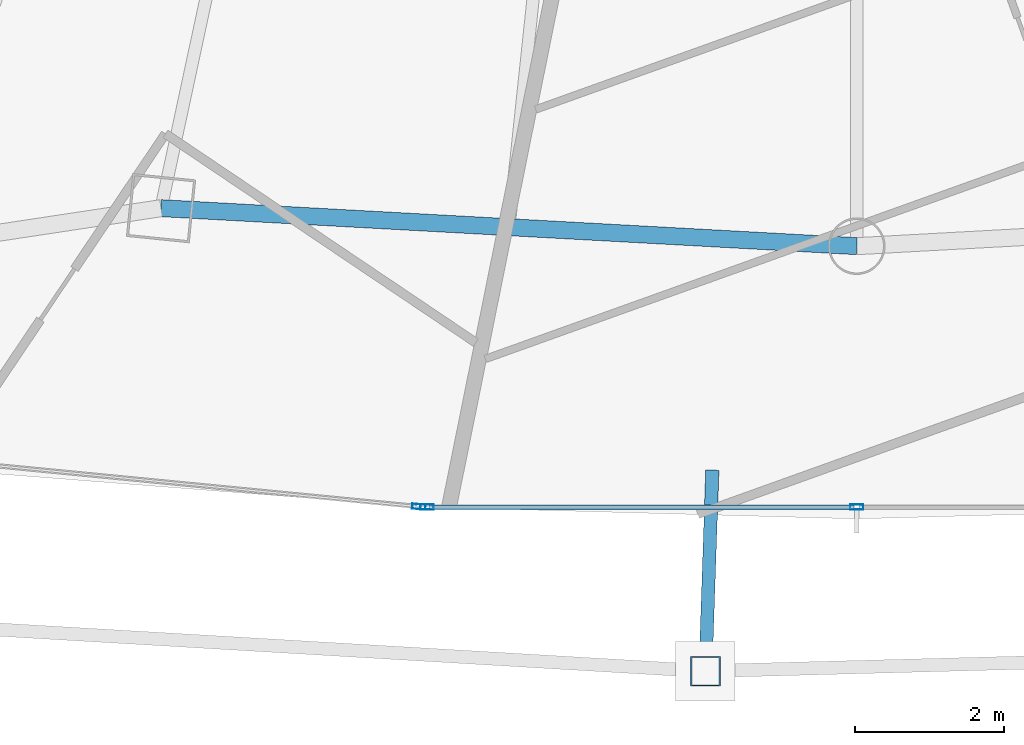
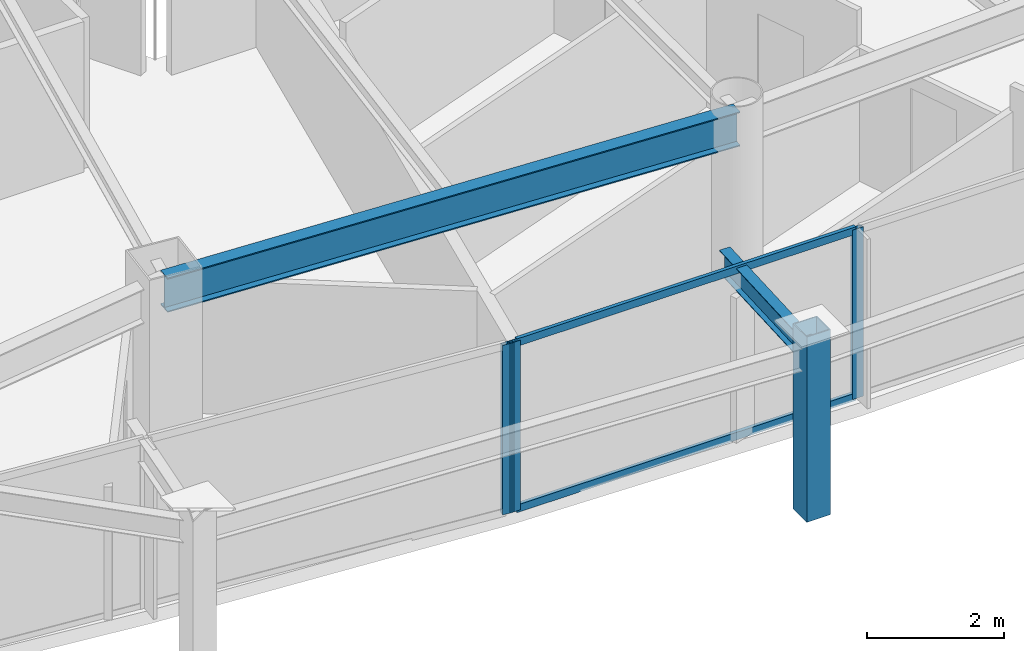
# One storey, part 7 of 30: 6 members, 2 beams, 2 elements without a shape of their own.
"""IFC4 building model written with IfcOpenShell, lengths in metres."""

from ifc_helpers import new_model, si_unit, direction, frame, origin, origin_2d, place, context, subcontext, project, spatial, hollow_rectangle, i_section, extrude, material, layer, layer_set, material_profile, profile_set, type_object, element, aggregate, save


model = new_model("IFC4")

# Units and contexts
model_context = context("Model", 3, precision=1e-05, world=origin(), true_north=direction((0.0, 1.0)))
body_context = subcontext(model_context, "Body", "Model", "MODEL_VIEW")
ifc_project = project(units=[si_unit("LENGTHUNIT", "METRE"), si_unit("AREAUNIT", "SQUARE_METRE"), si_unit("VOLUMEUNIT", "CUBIC_METRE"), si_unit("PLANEANGLEUNIT", "RADIAN"), si_unit("MASSUNIT", "GRAM", prefix="KILO")], contexts=[model_context])

# Site, building, storey
site_placement = place(None, origin())
site = spatial("IfcSite", under=ifc_project, at=site_placement, CompositionType="ELEMENT")
building_placement = place(site_placement, origin())
building = spatial("IfcBuilding", under=site, at=building_placement, Name="Orvanel Arch Residences", CompositionType="ELEMENT")
storey_placement = place(building_placement, frame((0.0, 0.0, 143.0)))
storey = spatial("IfcBuildingStorey", under=building, at=storey_placement, Name="L40", CompositionType="ELEMENT", Elevation=143.0)

# Curtain wall, member
ifc_material_1 = material(Name="Bronze-anodised aluminium AA6063-T6", Category="aluminium")
ifc_layer = layer(ifc_material_1, 0.179931640625)
ifc_layer_set = layer_set([ifc_layer], Name="Bronze-anodised aluminium AA6063-T6")
curtain_wall_type = type_object("IfcCurtainWallType", Name="CW3-MID-SYS", PredefinedType="NOTDEFINED", material=ifc_layer_set)
curtain_wall_1_placement = place(storey_placement, origin())
curtain_wall_1 = element("IfcCurtainWall", 1, at=curtain_wall_1_placement, inside=storey, type_object=curtain_wall_type, Name="L40 CW3-MID-SYS Unitised Curtain Wall", PredefinedType="NOTDEFINED")
ifc_material_profile_1 = material_profile(ifc_material_1, hollow_rectangle(XDim=0.070068359375, YDim=0.179931640625, WallThickness=0.00439453125, at=origin_2d()), Name="ALU180x70x4.5")
ifc_profile_set_1 = profile_set([ifc_material_profile_1], Name="Bronze-anodised aluminium AA6063-T6")
member_type_1 = type_object("IfcMemberType", Name="MUL-180x70", PredefinedType="MULLION", material=ifc_profile_set_1)
member_1_placement = place(storey_placement, frame((27.1142578125, 3.34228515625, 0.0), z_axis=(0.0, 0.0, 1.0), x_axis=(0.096603363992, 0.99532295767, 0.0)))
member_1 = element("IfcMember", 2, at=member_1_placement, type_object=member_type_1, Name="CW-S3 mullion 3", PredefinedType="MULLION", context=body_context, shape_type="SweptSolid", body=[
    extrude(hollow_rectangle(XDim=0.070068359375, YDim=0.179931640625, WallThickness=0.00439453125, at=origin_2d()), origin(), (0.0, 0.0, 1.0), 3.02001953125),
])
aggregate(curtain_wall_1, [member_1])

# Curtain wall, members
curtain_wall_2_placement = place(storey_placement, origin())
curtain_wall_2 = element("IfcCurtainWall", 3, at=curtain_wall_2_placement, inside=storey, type_object=curtain_wall_type, Name="L40 CW3-MID-SYS Unitised Curtain Wall", PredefinedType="NOTDEFINED")
member_2_placement = place(storey_placement, frame((27.22412109375, 3.3369140625, 0.0), z_axis=(0.0, 0.0, 1.0), x_axis=(0.0, 1.0, 0.0)))
member_2 = element("IfcMember", 4, at=member_2_placement, type_object=member_type_1, Name="CW-S3 mullion 1", PredefinedType="MULLION", context=body_context, shape_type="SweptSolid", body=[
    extrude(hollow_rectangle(XDim=0.070068359375, YDim=0.179931640625, WallThickness=0.00439453125, at=origin_2d()), origin(), (0.0, 0.0, 1.0), 3.02001953125),
])
member_3_placement = place(storey_placement, frame((33.0, 3.3369140625, 0.0), z_axis=(0.0, 0.0, 1.0), x_axis=(0.0, 1.0, 0.0)))
member_3 = element("IfcMember", 5, at=member_3_placement, type_object=member_type_1, Name="CW-S3 mullion 2", PredefinedType="MULLION", context=body_context, shape_type="SweptSolid", body=[
    extrude(hollow_rectangle(XDim=0.070068359375, YDim=0.179931640625, WallThickness=0.00439453125, at=origin_2d()), origin(), (0.0, 0.0, 1.0), 3.02001953125),
])

# Beams
ifc_material_2 = material(Name="Structural steel AS/NZS 3679.1 Grade 300 (300 MPa)", Category="steel")
ifc_material_profile_2 = material_profile(ifc_material_2, i_section(OverallWidth=0.177978515625, OverallDepth=0.406005859375, WebThickness=0.0078125, FlangeThickness=0.0126953125, at=origin_2d()), Name="410UB59.7")
ifc_profile_set_2 = profile_set([ifc_material_profile_2], Name="Structural steel AS/NZS 3679.1 Grade 300 (300 MPa)")
beam_type_1 = type_object("IfcBeamType", Name="OB-410UB-EXT", PredefinedType="SPANDREL", material=ifc_profile_set_2)
beam_1_placement = place(storey_placement, frame((31.05908203125, 3.833984375, 2.81689453125), z_axis=(-0.034045490843, -0.999420284241, 0.0), x_axis=(0.999420284241, -0.034045490843, 0.0)))
element("IfcBeam", 6, at=beam_1_placement, inside=storey, type_object=beam_type_1, Name="L40 Outer Frame Radial Tie Beam 06", PredefinedType="SPANDREL", context=body_context, shape_type="SweptSolid", body=[
    extrude(i_section(OverallWidth=0.177978515625, OverallDepth=0.406005859375, WebThickness=0.0078125, FlangeThickness=0.0126953125, at=origin_2d()), origin(), (0.0, 0.0, 1.0), 2.703369140625),
])
ifc_material_profile_3 = material_profile(ifc_material_2, i_section(OverallWidth=0.22900390625, OverallDepth=0.612060546875, WebThickness=0.011962890625, FlangeThickness=0.01953125, at=origin_2d()), Name="610UB125")
ifc_profile_set_3 = profile_set([ifc_material_profile_3], Name="Structural steel AS/NZS 3679.1 Grade 300 (300 MPa)")
beam_type_2 = type_object("IfcBeamType", Name="SP-610UB", PredefinedType="SPANDREL", material=ifc_profile_set_3)
beam_2_placement = place(storey_placement, frame((23.64892578125, 7.35498046875, 2.714111328125), z_axis=(0.998510315598, -0.054563262768, 0.0), x_axis=(0.054563262768, 0.998510315598, 0.0)))
element("IfcBeam", 7, at=beam_2_placement, inside=storey, type_object=beam_type_2, Name="L40 Perimeter Spandrel Beam 05", PredefinedType="SPANDREL", context=body_context, shape_type="SweptSolid", body=[
    extrude(i_section(OverallWidth=0.22900390625, OverallDepth=0.612060546875, WebThickness=0.011962890625, FlangeThickness=0.01953125, at=origin_2d()), origin(), (0.0, 0.0, 1.0), 9.364990234375),
])

# Member
ifc_material_3 = material(Name="Structural steel AS/NZS 1163 C450L0 (Grade 450)", Category="steel")
ifc_material_profile_4 = material_profile(ifc_material_3, hollow_rectangle(XDim=0.39990234375, YDim=0.39990234375, WallThickness=0.01611328125, at=origin_2d()), Name="SHS400x400x16")
ifc_profile_set_4 = profile_set([ifc_material_profile_4], Name="Structural steel AS/NZS 1163 C450L0 (Grade 450)")
member_type_2 = type_object("IfcMemberType", Name="ST-400SHS-EXT", PredefinedType="STRUT", material=ifc_profile_set_4)
member_4_placement = place(storey_placement, frame((30.967041015625, 1.132080078125, 0.0), z_axis=(0.0, 0.0, 1.0), x_axis=(1.0, 0.0, 0.0)))
element("IfcMember", 8, at=member_4_placement, inside=storey, type_object=member_type_2, Name="L40 Outer Perimeter Frame Post 06", PredefinedType="STRUT", context=body_context, shape_type="SweptSolid", body=[
    extrude(hollow_rectangle(XDim=0.39990234375, YDim=0.39990234375, WallThickness=0.01611328125, at=origin_2d()), origin(), (0.0, 0.0, 1.0), 3.300048828125),
])

ifc_material_profile_5 = material_profile(ifc_material_1, hollow_rectangle(XDim=0.06005859375, YDim=0.135009765625, WallThickness=0.00390625, at=origin_2d()), Name="ALU135x60x4")
ifc_profile_set_5 = profile_set([ifc_material_profile_5], Name="Bronze-anodised aluminium AA6063-T6")
member_type_3 = type_object("IfcMemberType", Name="TRN-135x60", PredefinedType="USERDEFINED", material=ifc_profile_set_5)
member_5_placement = place(storey_placement, frame((27.259033203125, 3.3369140625, 0.030029296875), z_axis=(1.0, 0.0, 0.0), x_axis=(0.0, 1.0, 0.0)))
member_5 = element("IfcMember", 9, at=member_5_placement, type_object=member_type_3, Name="CW-S3 transom 1.1", ObjectType="TRANSOM", PredefinedType="USERDEFINED", context=body_context, shape_type="SweptSolid", body=[
    extrude(hollow_rectangle(XDim=0.06005859375, YDim=0.135009765625, WallThickness=0.00390625, at=origin_2d()), origin(), (0.0, 0.0, 1.0), 5.7060546875),
])

member_6_placement = place(storey_placement, frame((27.259033203125, 3.3369140625, 2.989990234375), z_axis=(1.0, 0.0, 0.0), x_axis=(0.0, 1.0, 0.0)))
member_6 = element("IfcMember", 10, at=member_6_placement, type_object=member_type_3, Name="CW-S3 transom 1.2", ObjectType="TRANSOM", PredefinedType="USERDEFINED", context=body_context, shape_type="SweptSolid", body=[
    extrude(hollow_rectangle(XDim=0.06005859375, YDim=0.135009765625, WallThickness=0.00390625, at=origin_2d()), origin(), (0.0, 0.0, 1.0), 5.7060546875),
])

aggregate(curtain_wall_2, [member_2, member_3, member_5, member_6])

save(model, "model.ifc")
